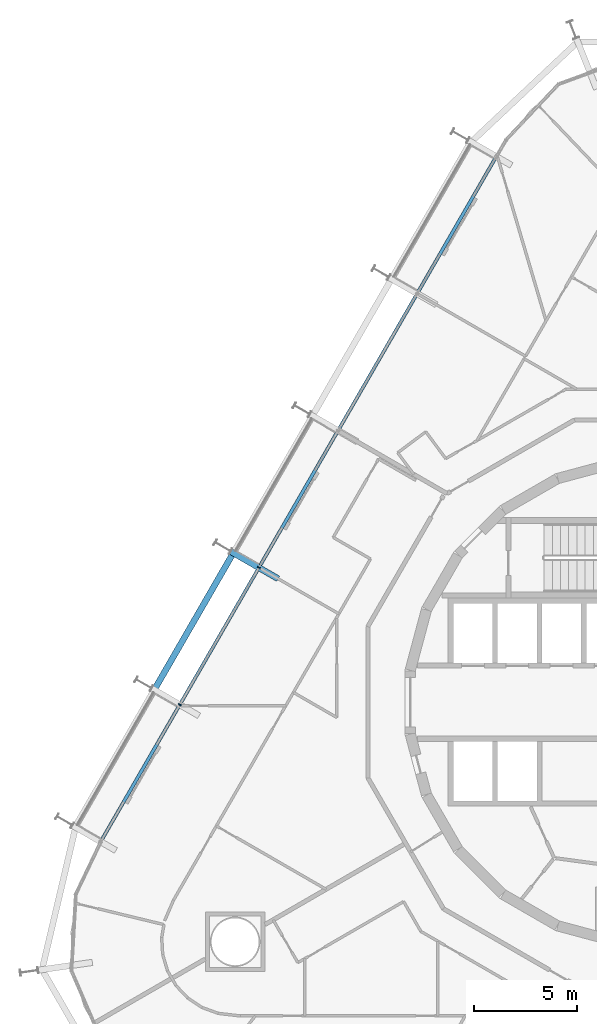
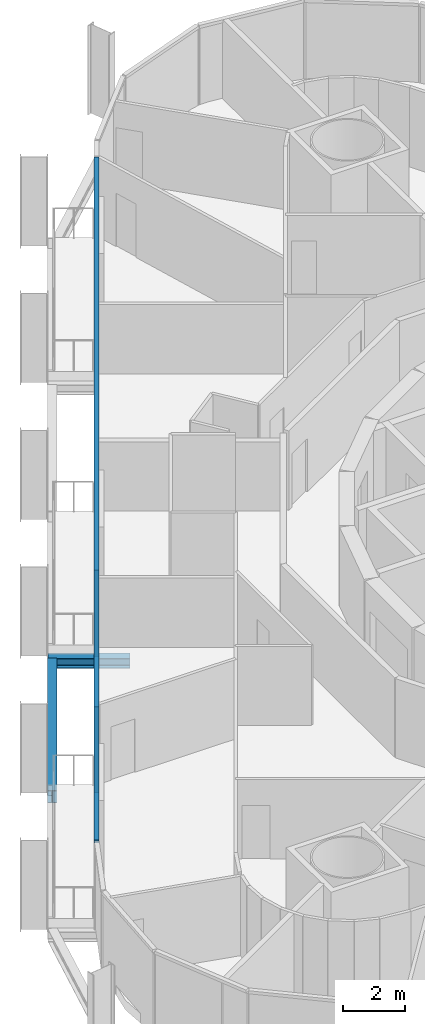
# One storey, part 5 of 20: 3 members, 2 beams, 1 element without a shape of its own.
"""IFC4 building model written with IfcOpenShell, lengths in metres."""

from ifc_helpers import new_model, si_unit, direction, frame, origin, origin_2d, place, context, subcontext, project, spatial, rectangle, i_section, extrude, material, layer, layer_set, material_profile, profile_set, type_object, element, aggregate, save


model = new_model("IFC4")

# Units and contexts
model_context = context("Model", 3, precision=1e-05, world=origin(), true_north=direction((0.0, 1.0)))
body_context = subcontext(model_context, "Body", "Model", "MODEL_VIEW")
ifc_project = project(units=[si_unit("LENGTHUNIT", "METRE"), si_unit("AREAUNIT", "SQUARE_METRE"), si_unit("VOLUMEUNIT", "CUBIC_METRE"), si_unit("PLANEANGLEUNIT", "RADIAN"), si_unit("MASSUNIT", "GRAM", prefix="KILO")], contexts=[model_context])

# Site, building, storey
site_placement = place(None, origin())
site = spatial("IfcSite", under=ifc_project, at=site_placement, CompositionType="ELEMENT")
building_placement = place(site_placement, origin())
building = spatial("IfcBuilding", under=site, at=building_placement, Name="Spindle Arch Residences", CompositionType="ELEMENT")
storey_placement = place(building_placement, frame((0.0, 0.0, 41.89990234375)))
storey = spatial("IfcBuildingStorey", under=building, at=storey_placement, Name="L08", CompositionType="ELEMENT", Elevation=41.89990234375)

# Curtain wall, members
ifc_material_1 = material(Name="Aluminium bronze unitised frame with tinted glass", Category="aluminium")
ifc_layer = layer(ifc_material_1, 0.159912109375)
ifc_layer_set = layer_set([ifc_layer], Name="CW-C typical residential unitised wall")
curtain_wall_type = type_object("IfcCurtainWallType", Name="CW-C typical residential unitised wall", PredefinedType="NOTDEFINED", material=ifc_layer_set)
curtain_wall_placement = place(storey_placement, origin())
curtain_wall = element("IfcCurtainWall", 1, at=curtain_wall_placement, inside=storey, type_object=curtain_wall_type, Name="CW-C L08 run 4", PredefinedType="NOTDEFINED")
ifc_material_2 = material(Name="Aluminium bronze anodised mullion", Category="aluminium")
ifc_material_profile_1 = material_profile(ifc_material_2, rectangle(XDim=0.159912109375, YDim=0.06005859375, at=origin_2d()), Name="MU 60x160")
ifc_profile_set_1 = profile_set([ifc_material_profile_1], Name="Aluminium bronze anodised mullion")
member_type_1 = type_object("IfcMemberType", Name="Bronze mullion 60x160", PredefinedType="MULLION", material=ifc_profile_set_1)
member_1_placement = place(storey_placement, frame((-18.9892578125, 6.529296875, -0.3798828125), z_axis=(0.0, 0.0, 1.0), x_axis=(0.866025403784, -0.5, 0.0)))
member_1 = element("IfcMember", 2, at=member_1_placement, type_object=member_type_1, Name="CW-C mullion 16", PredefinedType="MULLION", context=body_context, shape_type="SweptSolid", body=[
    extrude(rectangle(XDim=0.159912109375, YDim=0.06005859375, at=origin_2d()), origin(), (0.0, 0.0, 1.0), 3.3798828125),
])
member_2_placement = place(storey_placement, frame((-22.829345703125, -0.121826171875, -0.3798828125), z_axis=(0.0, 0.0, 1.0), x_axis=(0.866025403784, -0.5, 0.0)))
member_2 = element("IfcMember", 3, at=member_2_placement, type_object=member_type_1, Name="CW-C mullion 17", PredefinedType="MULLION", context=body_context, shape_type="SweptSolid", body=[
    extrude(rectangle(XDim=0.159912109375, YDim=0.06005859375, at=origin_2d()), origin(), (0.0, 0.0, 1.0), 3.3798828125),
])
ifc_material_3 = material(Name="Aluminium bronze anodised transom", Category="aluminium")
ifc_material_profile_2 = material_profile(ifc_material_3, rectangle(XDim=0.159912109375, YDim=0.1201171875, at=origin_2d()), Name="TR 120x160")
ifc_profile_set_2 = profile_set([ifc_material_profile_2], Name="Aluminium bronze anodised transom")
member_type_2 = type_object("IfcMemberType", Name="Bronze transom 120x160", PredefinedType="USERDEFINED", material=ifc_profile_set_2)
member_3_placement = place(storey_placement, frame((-7.484130859375, 26.456787109375, 3.06005859375), z_axis=(-0.50000099666, -0.866024828362, 0.0), x_axis=(0.866024828362, -0.50000099666, 0.0)))
member_3 = element("IfcMember", 4, at=member_3_placement, type_object=member_type_2, Name="CW-C transom 00", ObjectType="TRANSOM", PredefinedType="USERDEFINED", context=body_context, shape_type="SweptSolid", body=[
    extrude(rectangle(XDim=0.159912109375, YDim=0.1201171875, at=origin_2d()), origin(), (0.0, 0.0, 1.0), 38.34033203125),
])
aggregate(curtain_wall, [member_3, member_1, member_2])

# Beams
ifc_material_4 = material(Name="Steel S460ML, intumescent coating R 120", Category="steel")
ifc_material_profile_3 = material_profile(ifc_material_4, i_section(OverallWidth=0.300048828125, OverallDepth=0.5, WebThickness=0.014404296875, FlangeThickness=0.028076171875, FilletRadius=0.027099609375, at=origin_2d()), Name="HEB 500")
ifc_profile_set_3 = profile_set([ifc_material_profile_3], Name="Steel S460ML, intumescent coating R 120")
beam_type_1 = type_object("IfcBeamType", Name="Exoskeleton edge beam HEB 500", PredefinedType="BEAM", material=ifc_profile_set_3)
beam_1_placement = place(storey_placement, frame((-20.29541015625, 7.13330078125, -0.6298828125), z_axis=(-0.49998923004, -0.866031621735, 0.0), x_axis=(0.866031621735, -0.49998923004, 0.0)))
element("IfcBeam", 5, at=beam_1_placement, inside=storey, type_object=beam_type_1, Name="Exoskeleton edge beam 17", PredefinedType="BEAM", context=body_context, shape_type="SweptSolid", body=[
    extrude(i_section(OverallWidth=0.300048828125, OverallDepth=0.5, WebThickness=0.014404296875, FlangeThickness=0.028076171875, FilletRadius=0.027099609375, at=origin_2d()), origin(), (0.0, 0.0, 1.0), 7.420166015625),
])
ifc_material_5 = material(Name="Steel S460ML, intumescent coating R 120", Category="steel")
ifc_material_profile_4 = material_profile(ifc_material_5, i_section(OverallWidth=0.300048828125, OverallDepth=0.389892578125, WebThickness=0.010986328125, FlangeThickness=0.01904296875, FilletRadius=0.027099609375, at=origin_2d()), Name="HEA 400")
ifc_profile_set_4 = profile_set([ifc_material_profile_4], Name="Steel S460ML, intumescent coating R 120")
beam_type_2 = type_object("IfcBeamType", Name="Floor outrigger HEA 400", PredefinedType="BEAM", material=ifc_profile_set_4)
beam_2_placement = place(storey_placement, frame((-20.34912109375, 7.314453125, -0.574951171875), z_axis=(0.866052124492, -0.499953715521, 0.0), x_axis=(0.499953715521, 0.866052124492, 0.0)))
element("IfcBeam", 6, at=beam_2_placement, inside=storey, type_object=beam_type_2, Name="Floor outrigger 17", PredefinedType="BEAM", context=body_context, shape_type="SweptSolid", body=[
    extrude(i_section(OverallWidth=0.300048828125, OverallDepth=0.389892578125, WebThickness=0.010986328125, FlangeThickness=0.01904296875, FilletRadius=0.027099609375, at=origin_2d()), origin(), (0.0, 0.0, 1.0), 2.650146484375),
])

save(model, "model.ifc")
